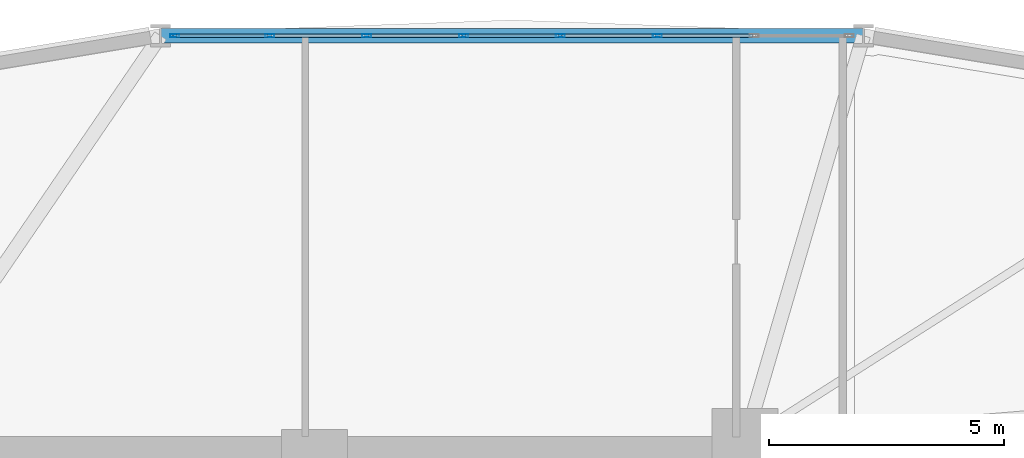
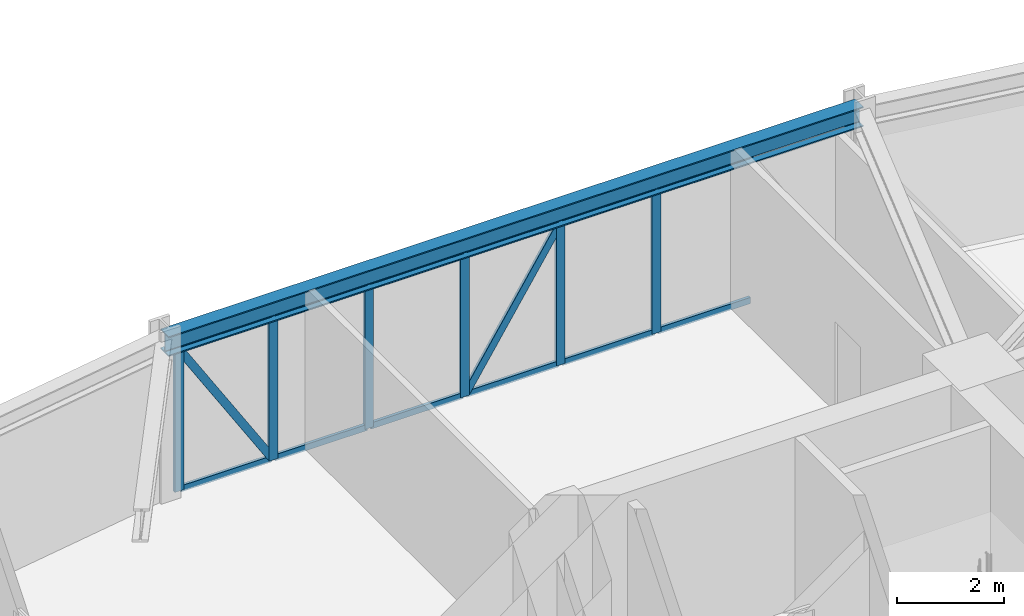
# One storey, part 10 of 20: 20 members, 1 beam, 1 element without a shape of its own.
"""IFC4 building model written with IfcOpenShell, lengths in metres."""

from ifc_helpers import new_model, si_unit, derived_unit, direction, frame, origin, origin_2d, place, context, subcontext, project, spatial, hollow_rectangle, i_section, extrude, source, transform, mapped, material, layer, layer_set, material_profile, profile_set, type_object, element, aggregate, save


model = new_model("IFC4")

# Units and contexts
model_context = context("Model", 3, precision=1e-05, world=origin(), true_north=direction((0.0, 1.0)))
body_context = subcontext(model_context, "Body", "Model", "MODEL_VIEW")
ifc_project = project(units=[si_unit("LENGTHUNIT", "METRE"), si_unit("AREAUNIT", "SQUARE_METRE"), si_unit("VOLUMEUNIT", "CUBIC_METRE"), si_unit("PLANEANGLEUNIT", "RADIAN"), si_unit("MASSUNIT", "GRAM", prefix="KILO"), derived_unit("THERMALTRANSMITTANCEUNIT", [(si_unit("POWERUNIT", "WATT"), 1), (si_unit("LENGTHUNIT", "METRE"), -2), (si_unit("THERMODYNAMICTEMPERATUREUNIT", "KELVIN"), -1)])], contexts=[model_context])

# Site, building, storey
site_placement = place(None, origin())
site = spatial("IfcSite", under=ifc_project, at=site_placement, CompositionType="ELEMENT")
building_placement = place(site_placement, origin())
building = spatial("IfcBuilding", under=site, at=building_placement, Name="Korsvarv Bourse and Concert Hall", CompositionType="ELEMENT")
storey_placement = place(building_placement, frame((0.0, 0.0, 79.5)))
storey = spatial("IfcBuildingStorey", under=building, at=storey_placement, Name="L19", CompositionType="ELEMENT", Elevation=79.5)

# Beam
ifc_material_1 = material(Name="Steel S355", Category="steel")
ifc_material_profile_1 = material_profile(ifc_material_1, i_section(OverallWidth=0.300048828125, OverallDepth=0.449951171875, WebThickness=0.013916015625, FlangeThickness=0.02587890625, FilletRadius=0.02099609375, at=origin_2d()), Name="HEB 450")
ifc_profile_set_1 = profile_set([ifc_material_profile_1], Name="Steel S355")
beam_type = type_object("IfcBeamType", Name="BM-HEB450", PredefinedType="SPANDREL", material=ifc_profile_set_1)
shared_shape_1 = source(origin(), body_context, "Body", "SweptSolid", [
    extrude(i_section(OverallWidth=0.300048828125, OverallDepth=0.449951171875, WebThickness=0.013916015625, FlangeThickness=0.02587890625, FilletRadius=0.02099609375, at=origin_2d()), origin(), (0.0, 0.0, 1.0), 14.9375),
])
beam_placement = place(storey_placement, frame((47.668701171875, 55.86767578125, 3.455078125), z_axis=(-1.0, 0.0, 0.0), x_axis=(0.0, -1.0, 0.0)))
element("IfcBeam", 1, at=beam_placement, inside=storey, type_object=beam_type, Name="L19 beam B-08", PredefinedType="SPANDREL", context=body_context, shape_type="MappedRepresentation", body=[
    mapped(shared_shape_1, transform((0.0, 0.0, 0.0), scale=1.0)),
])

# Curtain wall, members
ifc_material_2 = material(Name="Anodised aluminium and triple low-E glazing", Category="glass")
ifc_layer = layer(ifc_material_2, 0.219970703125)
ifc_layer_set = layer_set([ifc_layer], Name="Anodised aluminium and triple low-E glazing")
curtain_wall_type = type_object("IfcCurtainWallType", Name="CW-SYS-1", PredefinedType="NOTDEFINED", material=ifc_layer_set)
curtain_wall_placement = place(storey_placement, origin())
curtain_wall = element("IfcCurtainWall", 2, at=curtain_wall_placement, inside=storey, type_object=curtain_wall_type, Name="L19 CW1 curtain wall CW-L19-F03", PredefinedType="NOTDEFINED")
ifc_material_3 = material(Name="Extruded aluminium EN AW-6063 T66", Category="aluminium")
ifc_material_profile_2 = material_profile(ifc_material_3, hollow_rectangle(XDim=0.070068359375, YDim=0.18994140625, WallThickness=0.0048828125, at=origin_2d()), Name="ALU-M 70x190")
ifc_profile_set_2 = profile_set([ifc_material_profile_2], Name="Extruded aluminium EN AW-6063 T66")
member_type_1 = type_object("IfcMemberType", Name="CWM-190", PredefinedType="MULLION", material=ifc_profile_set_2)
shared_shape_2 = source(origin(), body_context, "Body", "SweptSolid", [
    extrude(hollow_rectangle(XDim=0.070068359375, YDim=0.18994140625, WallThickness=0.0048828125, at=origin_2d()), origin(), (0.0, 0.0, 1.0), 3.22998046875),
])
member_1_placement = place(storey_placement, frame((43.28857421875, 55.86767578125, 0.0), z_axis=(0.0, 0.0, 1.0), x_axis=(0.0, -1.0, 0.0)))
member_1 = element("IfcMember", 3, at=member_1_placement, type_object=member_type_1, Name="CW1 mullion 3", PredefinedType="MULLION", context=body_context, shape_type="MappedRepresentation", body=[
    mapped(shared_shape_2, transform((0.0, 0.0, 0.0), scale=1.0)),
])
member_2_placement = place(storey_placement, frame((41.2294921875, 55.86767578125, 0.0), z_axis=(0.0, 0.0, 1.0), x_axis=(0.0, -1.0, 0.0)))
member_2 = element("IfcMember", 4, at=member_2_placement, type_object=member_type_1, Name="CW1 mullion 4", PredefinedType="MULLION", context=body_context, shape_type="MappedRepresentation", body=[
    mapped(shared_shape_2, transform((0.0, 0.0, 0.0), scale=1.0)),
])
member_3_placement = place(storey_placement, frame((39.17041015625, 55.86767578125, 0.0), z_axis=(0.0, 0.0, 1.0), x_axis=(0.0, -1.0, 0.0)))
member_3 = element("IfcMember", 5, at=member_3_placement, type_object=member_type_1, Name="CW1 mullion 5", PredefinedType="MULLION", context=body_context, shape_type="MappedRepresentation", body=[
    mapped(shared_shape_2, transform((0.0, 0.0, 0.0), scale=1.0)),
])
member_4_placement = place(storey_placement, frame((37.111328125, 55.86767578125, 0.0), z_axis=(0.0, 0.0, 1.0), x_axis=(0.0, -1.0, 0.0)))
member_4 = element("IfcMember", 6, at=member_4_placement, type_object=member_type_1, Name="CW1 mullion 6", PredefinedType="MULLION", context=body_context, shape_type="MappedRepresentation", body=[
    mapped(shared_shape_2, transform((0.0, 0.0, 0.0), scale=1.0)),
])
member_5_placement = place(storey_placement, frame((35.05224609375, 55.86767578125, 0.0), z_axis=(0.0, 0.0, 1.0), x_axis=(0.0, -1.0, 0.0)))
member_5 = element("IfcMember", 7, at=member_5_placement, type_object=member_type_1, Name="CW1 mullion 7", PredefinedType="MULLION", context=body_context, shape_type="MappedRepresentation", body=[
    mapped(shared_shape_2, transform((0.0, 0.0, 0.0), scale=1.0)),
])
member_6_placement = place(storey_placement, frame((33.0283203125, 55.86767578125, 0.0), z_axis=(0.0, 0.0, 1.0), x_axis=(0.0, -1.0, 0.0)))
member_6 = element("IfcMember", 8, at=member_6_placement, type_object=member_type_1, Name="CW1 mullion 8", PredefinedType="MULLION", context=body_context, shape_type="MappedRepresentation", body=[
    mapped(shared_shape_2, transform((0.0, 0.0, 0.0), scale=1.0)),
])
ifc_material_profile_3 = material_profile(ifc_material_3, hollow_rectangle(XDim=0.06494140625, YDim=0.139892578125, WallThickness=0.00390625, at=origin_2d()), Name="ALU-T 65x140")
ifc_profile_set_3 = profile_set([ifc_material_profile_3], Name="Extruded aluminium EN AW-6063 T66")
member_type_2 = type_object("IfcMemberType", Name="CWT-140", PredefinedType="USERDEFINED", material=ifc_profile_set_3)
shared_shape_3 = source(origin(), body_context, "Body", "SweptSolid", [
    extrude(hollow_rectangle(XDim=0.06494140625, YDim=0.139892578125, WallThickness=0.00390625, at=origin_2d()), origin(), (0.0, 0.0, 1.0), 1.9541015625),
])
member_7_placement = place(storey_placement, frame((35.017333984375, 55.86767578125, 0.032470703125), z_axis=(-1.0, 0.0, 0.0), x_axis=(0.0, -1.0, 0.0)))
member_7 = element("IfcMember", 9, at=member_7_placement, type_object=member_type_2, Name="CW1 transom 7.1", ObjectType="TRANSOM", PredefinedType="USERDEFINED", context=body_context, shape_type="MappedRepresentation", body=[
    mapped(shared_shape_3, transform((0.0, 0.0, 0.0), scale=1.0)),
])
member_8_placement = place(storey_placement, frame((35.017333984375, 55.86767578125, 3.197509765625), z_axis=(-1.0, 0.0, 0.0), x_axis=(0.0, -1.0, 0.0)))
member_8 = element("IfcMember", 10, at=member_8_placement, type_object=member_type_2, Name="CW1 transom 7.2", ObjectType="TRANSOM", PredefinedType="USERDEFINED", context=body_context, shape_type="MappedRepresentation", body=[
    mapped(shared_shape_3, transform((0.0, 0.0, 0.0), scale=1.0)),
])
shared_shape_4 = source(origin(), body_context, "Body", "SweptSolid", [
    extrude(hollow_rectangle(XDim=0.06494140625, YDim=0.139892578125, WallThickness=0.00390625, at=origin_2d()), origin(), (0.0, 0.0, 1.0), 1.9892578125),
])
member_9_placement = place(storey_placement, frame((45.312744140625, 55.86767578125, 0.032470703125), z_axis=(-1.0, 0.0, 0.0), x_axis=(0.0, -1.0, 0.0)))
member_9 = element("IfcMember", 11, at=member_9_placement, type_object=member_type_2, Name="CW1 transom 2.1", ObjectType="TRANSOM", PredefinedType="USERDEFINED", context=body_context, shape_type="MappedRepresentation", body=[
    mapped(shared_shape_4, transform((0.0, 0.0, 0.0), scale=1.0)),
])
member_10_placement = place(storey_placement, frame((45.312744140625, 55.86767578125, 3.197509765625), z_axis=(-1.0, 0.0, 0.0), x_axis=(0.0, -1.0, 0.0)))
member_10 = element("IfcMember", 12, at=member_10_placement, type_object=member_type_2, Name="CW1 transom 2.2", ObjectType="TRANSOM", PredefinedType="USERDEFINED", context=body_context, shape_type="MappedRepresentation", body=[
    mapped(shared_shape_4, transform((0.0, 0.0, 0.0), scale=1.0)),
])
shared_shape_5 = source(origin(), body_context, "Body", "SweptSolid", [
    extrude(hollow_rectangle(XDim=0.06494140625, YDim=0.139892578125, WallThickness=0.00390625, at=origin_2d()), origin(), (0.0, 0.0, 1.0), 1.989013671875),
])
member_11_placement = place(storey_placement, frame((43.253662109375, 55.86767578125, 0.032470703125), z_axis=(-1.0, 0.0, 0.0), x_axis=(0.0, -1.0, 0.0)))
member_11 = element("IfcMember", 13, at=member_11_placement, type_object=member_type_2, Name="CW1 transom 3.1", ObjectType="TRANSOM", PredefinedType="USERDEFINED", context=body_context, shape_type="MappedRepresentation", body=[
    mapped(shared_shape_5, transform((0.0, 0.0, 0.0), scale=1.0)),
])
member_12_placement = place(storey_placement, frame((43.253662109375, 55.86767578125, 3.197509765625), z_axis=(-1.0, 0.0, 0.0), x_axis=(0.0, -1.0, 0.0)))
member_12 = element("IfcMember", 14, at=member_12_placement, type_object=member_type_2, Name="CW1 transom 3.2", ObjectType="TRANSOM", PredefinedType="USERDEFINED", context=body_context, shape_type="MappedRepresentation", body=[
    mapped(shared_shape_5, transform((0.0, 0.0, 0.0), scale=1.0)),
])
member_13_placement = place(storey_placement, frame((41.194580078125, 55.86767578125, 0.032470703125), z_axis=(-1.0, 0.0, 0.0), x_axis=(0.0, -1.0, 0.0)))
member_13 = element("IfcMember", 15, at=member_13_placement, type_object=member_type_2, Name="CW1 transom 4.1", ObjectType="TRANSOM", PredefinedType="USERDEFINED", context=body_context, shape_type="MappedRepresentation", body=[
    mapped(shared_shape_5, transform((0.0, 0.0, 0.0), scale=1.0)),
])
member_14_placement = place(storey_placement, frame((41.194580078125, 55.86767578125, 3.197509765625), z_axis=(-1.0, 0.0, 0.0), x_axis=(0.0, -1.0, 0.0)))
member_14 = element("IfcMember", 16, at=member_14_placement, type_object=member_type_2, Name="CW1 transom 4.2", ObjectType="TRANSOM", PredefinedType="USERDEFINED", context=body_context, shape_type="MappedRepresentation", body=[
    mapped(shared_shape_5, transform((0.0, 0.0, 0.0), scale=1.0)),
])
member_15_placement = place(storey_placement, frame((39.135498046875, 55.86767578125, 0.032470703125), z_axis=(-1.0, 0.0, 0.0), x_axis=(0.0, -1.0, 0.0)))
member_15 = element("IfcMember", 17, at=member_15_placement, type_object=member_type_2, Name="CW1 transom 5.1", ObjectType="TRANSOM", PredefinedType="USERDEFINED", context=body_context, shape_type="MappedRepresentation", body=[
    mapped(shared_shape_5, transform((0.0, 0.0, 0.0), scale=1.0)),
])
member_16_placement = place(storey_placement, frame((39.135498046875, 55.86767578125, 3.197509765625), z_axis=(-1.0, 0.0, 0.0), x_axis=(0.0, -1.0, 0.0)))
member_16 = element("IfcMember", 18, at=member_16_placement, type_object=member_type_2, Name="CW1 transom 5.2", ObjectType="TRANSOM", PredefinedType="USERDEFINED", context=body_context, shape_type="MappedRepresentation", body=[
    mapped(shared_shape_5, transform((0.0, 0.0, 0.0), scale=1.0)),
])
member_17_placement = place(storey_placement, frame((37.076416015625, 55.86767578125, 0.032470703125), z_axis=(-1.0, 0.0, 0.0), x_axis=(0.0, -1.0, 0.0)))
member_17 = element("IfcMember", 19, at=member_17_placement, type_object=member_type_2, Name="CW1 transom 6.1", ObjectType="TRANSOM", PredefinedType="USERDEFINED", context=body_context, shape_type="MappedRepresentation", body=[
    mapped(shared_shape_5, transform((0.0, 0.0, 0.0), scale=1.0)),
])
member_18_placement = place(storey_placement, frame((37.076416015625, 55.86767578125, 3.197509765625), z_axis=(-1.0, 0.0, 0.0), x_axis=(0.0, -1.0, 0.0)))
member_18 = element("IfcMember", 20, at=member_18_placement, type_object=member_type_2, Name="CW1 transom 6.2", ObjectType="TRANSOM", PredefinedType="USERDEFINED", context=body_context, shape_type="MappedRepresentation", body=[
    mapped(shared_shape_5, transform((0.0, 0.0, 0.0), scale=1.0)),
])
ifc_material_profile_4 = material_profile(ifc_material_3, hollow_rectangle(XDim=0.06494140625, YDim=0.1650390625, WallThickness=0.0048828125, at=origin_2d()), Name="ALU-M 65x165")
ifc_profile_set_4 = profile_set([ifc_material_profile_4], Name="Extruded aluminium EN AW-6063 T66")
member_type_3 = type_object("IfcMemberType", Name="CWM-165", PredefinedType="MULLION", material=ifc_profile_set_4)
shared_shape_6 = source(origin(), body_context, "Body", "SweptSolid", [
    extrude(hollow_rectangle(XDim=0.06494140625, YDim=0.1650390625, WallThickness=0.0048828125, at=origin_2d()), origin(), (0.0, 0.0, 1.0), 3.66455078125),
])
member_19_placement = place(storey_placement, frame((35.017333984375, 55.86767578125, 0.06494140625), z_axis=(-0.533240811465, 0.0, 0.84596349625), x_axis=(0.0, -1.0, 0.0)))
member_19 = element("IfcMember", 21, at=member_19_placement, type_object=member_type_3, Name="CW1 diagonal mullion 7", PredefinedType="MULLION", context=body_context, shape_type="MappedRepresentation", body=[
    mapped(shared_shape_6, transform((0.0, 0.0, 0.0), scale=1.0)),
])
shared_shape_7 = source(origin(), body_context, "Body", "SweptSolid", [
    extrude(hollow_rectangle(XDim=0.06494140625, YDim=0.1650390625, WallThickness=0.0048828125, at=origin_2d()), origin(), (0.0, 0.0, 1.0), 3.683349609375),
])
member_20_placement = place(storey_placement, frame((39.20556640625, 55.86767578125, 0.06494140625), z_axis=(0.540006967315, 0.0, 0.841660546332), x_axis=(0.0, 1.0, 0.0)))
member_20 = element("IfcMember", 22, at=member_20_placement, type_object=member_type_3, Name="CW1 diagonal mullion 4", PredefinedType="MULLION", context=body_context, shape_type="MappedRepresentation", body=[
    mapped(shared_shape_7, transform((0.0, 0.0, 0.0), scale=1.0)),
])
aggregate(curtain_wall, [member_1, member_2, member_3, member_4, member_5, member_6, member_9, member_10, member_11, member_12, member_13, member_14, member_20, member_15, member_16, member_17, member_18, member_7, member_8, member_19])

save(model, "model.ifc")
